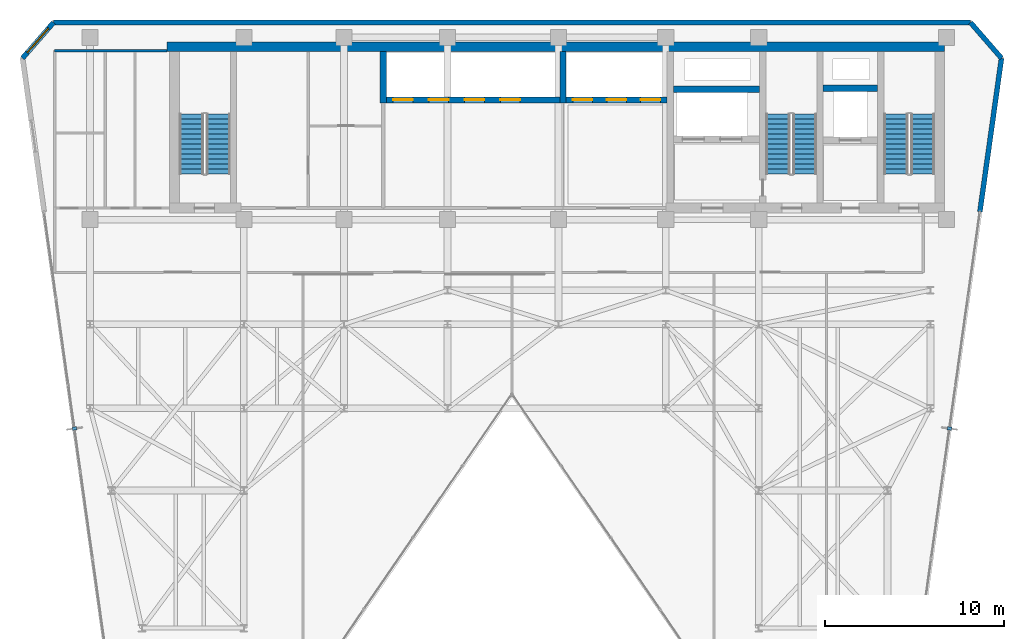
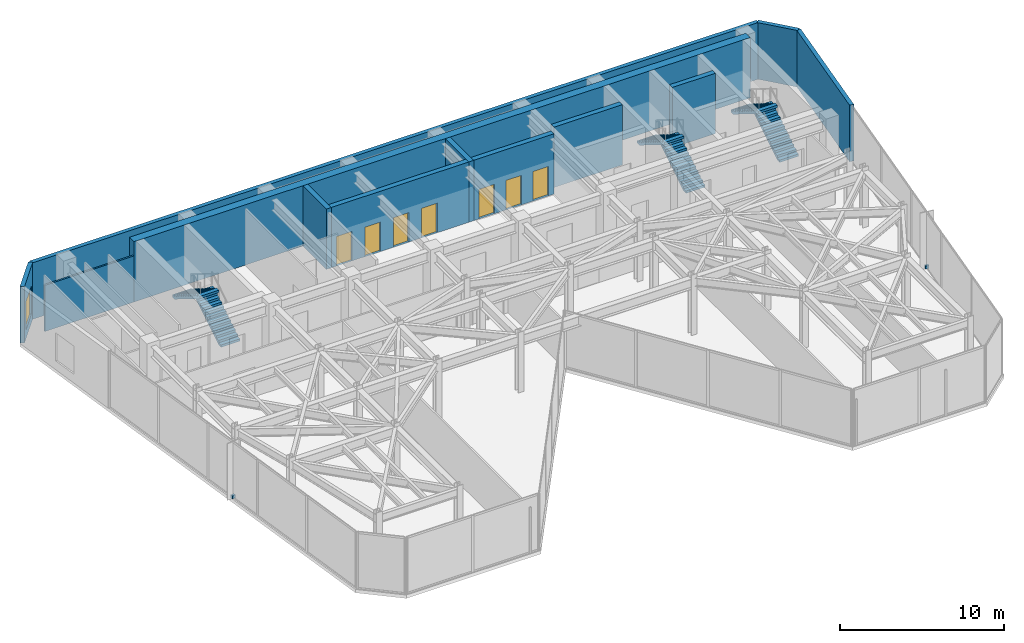
# One storey, part 23 of 25: 12 walls, 7 doors, 6 stair flights, 2 discrete accessories, 1 window, 8 openings, 3 elements without a shape of their own.
"""IFC4 building model written with IfcOpenShell, lengths in metres."""

import ifcopenshell
import ifcopenshell.guid

model = None  # the IFC model being written
_history = None  # IfcOwnerHistory: only IFC2X3 demands one
_inside = {}  # id of a spatial element -> (the spatial element, [elements in it])
_under = {}  # id of a project, library or spatial element -> (it, [spatial elements below it])
_declared = {}  # id of a project -> (the project, [libraries it declares])
_typed = {}  # id of a type object -> (the type object, [elements of that type])
_made_of = {}  # id of a material, layer set ... -> (it, [elements and type objects made of it])


def new_model(schema):
    """Start an empty IFC model of exactly this schema.

    Asked for "IFC4X3", IfcOpenShell would pick the latest addendum, in which some entities
    have other attributes; the version numbers below select the first issue.
    IFC2X3 requires an IfcOwnerHistory on every rooted entity: one is made here for all.
    """
    global model, _history
    if schema == "IFC4X3":
        model = ifcopenshell.file(schema_version=(4, 3, 0, 0))
    else:
        model = ifcopenshell.file(schema=schema)
    _inside.clear()
    _under.clear()
    _declared.clear()
    _typed.clear()
    _made_of.clear()
    _history = None
    if model.schema == "IFC2X3":
        org = make("IfcOrganization", Name="unknown")
        user = make(
            "IfcPersonAndOrganization",
            ThePerson=make("IfcPerson", FamilyName="unknown"),
            TheOrganization=org,
        )
        app = make(
            "IfcApplication",
            ApplicationDeveloper=org,
            Version="unknown",
            ApplicationFullName="unknown",
            ApplicationIdentifier="unknown",
        )
        _history = make(
            "IfcOwnerHistory",
            OwningUser=user,
            OwningApplication=app,
            ChangeAction="ADDED",
            CreationDate=0,
        )
    return model


def make(cls, **values):
    """One entity of the class cls with the attributes given. An attribute that is None is left unset."""
    return model.create_entity(
        cls, **{name: value for name, value in values.items() if value is not None}
    )


def rooted(cls, **values):
    """An entity with a GlobalId (a new one), such as an element, a storey or a relation."""
    return make(cls, GlobalId=ifcopenshell.guid.new(), OwnerHistory=_history, **values)


def si_unit(unit_type, name, prefix=None):
    """IfcSIUnit, for example si_unit("LENGTHUNIT", "METRE", prefix="MILLI")."""
    return make("IfcSIUnit", UnitType=unit_type, Prefix=prefix, Name=name)


def assignment(units):
    """IfcUnitAssignment: the units of a project."""
    return None if units is None else make("IfcUnitAssignment", Units=units)


def point(xyz):
    """IfcCartesianPoint."""
    return None if xyz is None else make("IfcCartesianPoint", Coordinates=xyz)


def direction(xyz):
    """IfcDirection."""
    return None if xyz is None else make("IfcDirection", DirectionRatios=xyz)


def frame(location, z_axis=None, x_axis=None):
    """IfcAxis2Placement3D, a coordinate frame: its origin and axes. An axis left out is left unset."""
    return make(
        "IfcAxis2Placement3D",
        Location=point(location),
        Axis=direction(z_axis),
        RefDirection=direction(x_axis),
    )


def frame_2d(location, x_axis=None):
    """IfcAxis2Placement2D, a coordinate frame in the plane: its origin and x axis."""
    return make(
        "IfcAxis2Placement2D", Location=point(location), RefDirection=direction(x_axis)
    )


def origin():
    """The frame at (0, 0, 0) with its axes left unset."""
    return frame((0.0, 0.0, 0.0))


def origin_2d():
    """The frame at (0, 0) in the plane with its x axis left unset."""
    return frame_2d((0.0, 0.0))


def place(relative_to, where):
    """IfcLocalPlacement: puts the frame where relative to a parent placement (None: the world)."""
    return make(
        "IfcLocalPlacement", PlacementRelTo=relative_to, RelativePlacement=where
    )


def context(
    kind, dimensions, precision=None, world=None, true_north=None, identifier=None
):
    """IfcGeometricRepresentationContext, for example the 3D "Model" context."""
    return make(
        "IfcGeometricRepresentationContext",
        ContextIdentifier=identifier,
        ContextType=kind,
        CoordinateSpaceDimension=dimensions,
        Precision=precision,
        WorldCoordinateSystem=world,
        TrueNorth=true_north,
    )


def subcontext(parent, identifier, kind, view, scale=None):
    """IfcGeometricRepresentationSubContext, for example "Body" below "Model"."""
    return make(
        "IfcGeometricRepresentationSubContext",
        ContextIdentifier=identifier,
        ContextType=kind,
        ParentContext=parent,
        TargetScale=scale,
        TargetView=view,
    )


def project(units=None, contexts=None):
    """IfcProject with its units and contexts."""
    return rooted(
        "IfcProject",
        Name="project",
        RepresentationContexts=contexts,
        UnitsInContext=assignment(units),
    )


def spatial(cls, under=None, at=None, **own):
    """A site, building, storey or space (cls), placed at a placement, below another one or the project."""
    s = rooted(cls, ObjectPlacement=at, **own)
    if under is not None:
        _under.setdefault(under.id(), (under, []))[1].append(s)
    return s


def polyline(points):
    """IfcPolyline through the points."""
    return make("IfcPolyline", Points=[point(p) for p in points])


def profile(cls, at=None, kind="AREA", **sizes):
    """A parametric profile (cls). Its sizes go by their IFC names, for example OverallWidth=200.0."""
    return make(cls, ProfileType=kind, Position=at, **sizes)


def rectangle(**sizes):
    """IfcRectangleProfileDef."""
    return profile("IfcRectangleProfileDef", **sizes)


def outline(outer, holes=None, kind="AREA"):
    """IfcArbitraryClosedProfileDef: a profile drawn as a closed curve; with holes, ...WithVoids."""
    if holes is None:
        return make("IfcArbitraryClosedProfileDef", ProfileType=kind, OuterCurve=outer)
    return make(
        "IfcArbitraryProfileDefWithVoids",
        ProfileType=kind,
        OuterCurve=outer,
        InnerCurves=holes,
    )


def extrude(swept, where, along, depth):
    """IfcExtrudedAreaSolid: the profile swept, set in the frame where, extruded along a direction by depth."""
    return make(
        "IfcExtrudedAreaSolid",
        SweptArea=swept,
        Position=where,
        ExtrudedDirection=direction(along),
        Depth=depth,
    )


def shape(context_of_items, identifier, shape_type, items):
    """IfcShapeRepresentation: the items that make up one representation, for example the "Body"."""
    return make(
        "IfcShapeRepresentation",
        ContextOfItems=context_of_items,
        RepresentationIdentifier=identifier,
        RepresentationType=shape_type,
        Items=items,
    )


def material(Name=None, Category=None):
    """IfcMaterial."""
    return make("IfcMaterial", Name=Name, Category=Category)


def layer(
    of_material, thickness, ventilated=None, Name=None, Category=None, Priority=None
):
    """IfcMaterialLayer: one layer of a wall or slab, of a material (None: an air gap)."""
    return make(
        "IfcMaterialLayer",
        Material=of_material,
        LayerThickness=thickness,
        IsVentilated=ventilated,
        Name=Name,
        Category=Category,
        Priority=Priority,
    )


def layer_set(layers, Name=None):
    """IfcMaterialLayerSet."""
    return make("IfcMaterialLayerSet", MaterialLayers=layers, LayerSetName=Name)


def made_of(thing, what):
    """Note that an element or type object is made of a material, layer set ...; save() writes the relation."""
    if what is not None:
        _made_of.setdefault(what.id(), (what, []))[1].append(thing)
    return thing


def type_object(cls, material=None, **own):
    """A type object (cls), such as IfcWallType, which elements share."""
    return made_of(rooted(cls, **own), material)


def element(
    cls,
    number,
    at=None,
    inside=None,
    cuts=None,
    type_object=None,
    material=None,
    context=None,
    identifier="Body",
    shape_type=None,
    held_by="IfcProductDefinitionShape",
    body=None,
    shapes=None,
    **own,
):
    """One element of the class cls, such as IfcWall. Its Tag is "e" and its number.

    at: its placement. inside: the storey or other place that contains it. cuts: it is an
    opening in that element (IfcRelVoidsElement). A single representation is given by context,
    identifier, shape_type and body (its items); several are given by shapes. held_by: the class
    of the entity that holds the representations. save() writes the other relations.
    """
    e = rooted(cls, Tag="e%d" % number, ObjectPlacement=at, **own)
    if body is not None:
        shapes = [shape(context, identifier, shape_type, body)]
    if shapes is not None:
        e.Representation = make(held_by, Representations=shapes)
    if inside is not None:
        _inside.setdefault(inside.id(), (inside, []))[1].append(e)
    if cuts is not None:
        rooted(
            "IfcRelVoidsElement", RelatingBuildingElement=cuts, RelatedOpeningElement=e
        )
    if type_object is not None:
        _typed.setdefault(type_object.id(), (type_object, []))[1].append(e)
    return made_of(e, material)


def fill(opening, filler):
    """IfcRelFillsElement: the door or window that sits in an opening."""
    return rooted(
        "IfcRelFillsElement",
        RelatingOpeningElement=opening,
        RelatedBuildingElement=filler,
    )


def aggregate(whole, parts):
    """IfcRelAggregates: a whole, such as a stair, and the parts it consists of."""
    return rooted("IfcRelAggregates", RelatingObject=whole, RelatedObjects=parts)


def save(model, path):
    """Write the relations noted so far, then the file.

    IfcRelAggregates (storeys below a building ...), IfcRelContainedInSpatialStructure (elements
    in a storey), IfcRelDefinesByType, IfcRelAssociatesMaterial and IfcRelDeclares: one each for
    every whole, place, type object, material and project.
    """
    for whole, parts in _under.values():
        aggregate(whole, parts)
    for where, things in _inside.values():
        rooted(
            "IfcRelContainedInSpatialStructure",
            RelatedElements=things,
            RelatingStructure=where,
        )
    for kind, things in _typed.values():
        rooted("IfcRelDefinesByType", RelatedObjects=things, RelatingType=kind)
    for what, things in _made_of.values():
        rooted("IfcRelAssociatesMaterial", RelatedObjects=things, RelatingMaterial=what)
    for by, libraries in _declared.values():
        rooted("IfcRelDeclares", RelatingContext=by, RelatedDefinitions=libraries)
    model.write(path)


model = new_model("IFC4")

# Units and contexts
model_context = context("Model", 3, precision=1e-05, world=origin(), true_north=direction((0.0, 1.0)))
body_context = subcontext(model_context, "Body", "Model", "MODEL_VIEW")
ifc_project = project(units=[si_unit("LENGTHUNIT", "METRE"), si_unit("AREAUNIT", "SQUARE_METRE"), si_unit("VOLUMEUNIT", "CUBIC_METRE"), si_unit("PLANEANGLEUNIT", "RADIAN"), si_unit("MASSUNIT", "GRAM", prefix="KILO")], contexts=[model_context])

# Site, building, storey
site_placement = place(None, origin())
site = spatial("IfcSite", under=ifc_project, at=site_placement, CompositionType="ELEMENT")
building_placement = place(site_placement, origin())
building = spatial("IfcBuilding", under=site, at=building_placement, Name="Kravanh Interchange Tower", CompositionType="ELEMENT")
storey_placement = place(building_placement, frame((0.0, 0.0, 220.5)))
storey = spatial("IfcBuildingStorey", under=building, at=storey_placement, Name="L53", CompositionType="ELEMENT", Elevation=220.5)

# Walls
ifc_material_1 = material(Name="Double Acoustic Gypsum Board and Mineral Wool")
ifc_layer_1 = layer(ifc_material_1, 0.1201171875)
ifc_layer_set_1 = layer_set([ifc_layer_1], Name="Acoustic Office Drywall Partition 120mm")
wall_type_1 = type_object("IfcWallType", Name="Acoustic Office Drywall Partition 120mm", PredefinedType="PARTITIONING", material=ifc_layer_set_1)
wall_1_placement = place(storey_placement, frame((16.6201171875, 46.800048828125, 0.0), z_axis=(0.0, 0.0, 1.0), x_axis=(1.0, 0.0, 0.0)))
element("IfcWall", 1, at=wall_1_placement, inside=storey, type_object=wall_type_1, Name="L53 Restroom North Enclosure 9", PredefinedType="PARTITIONING", context=body_context, shape_type="SweptSolid", body=[
    extrude(rectangle(XDim=6.27978515625, YDim=0.1201171875, at=frame_2d((3.139892578125, 0.0))), origin(), (0.0, 0.0, 1.0), 3.447021484375),
])
ifc_material_2 = material(Name="Concrete C60/75", Category="concrete")
ifc_layer_2 = layer(ifc_material_2, 0.35009765625)
ifc_layer_set_2 = layer_set([ifc_layer_2], Name="Core Shear Wall Concrete C60/75 350mm")
wall_type_2 = type_object("IfcWallType", Name="Core Shear Wall Concrete C60/75 350mm", PredefinedType="SHEAR", material=ifc_layer_set_2)
wall_2_placement = place(storey_placement, frame((59.60009765625, 44.699951171875, 0.0), z_axis=(0.0, 0.0, 1.0), x_axis=(1.0, 0.0, 0.0)))
element("IfcWall", 2, at=wall_2_placement, inside=storey, type_object=wall_type_2, Name="L53 Service Lift Shaft North Wall", PredefinedType="SHEAR", context=body_context, shape_type="SweptSolid", body=[
    extrude(rectangle(XDim=3.0498046875, YDim=0.35009765625, at=frame_2d((1.52490234375, 0.0))), origin(), (0.0, 0.0, 1.0), 4.5),
])
wall_3_placement = place(storey_placement, frame((51.22509765625, 44.64990234375, 0.0), z_axis=(0.0, 0.0, 1.0), x_axis=(1.0, 0.0, 0.0)))
element("IfcWall", 3, at=wall_3_placement, inside=storey, type_object=wall_type_2, Name="L53 Fire Lift Shaft North Wall", PredefinedType="SHEAR", context=body_context, shape_type="SweptSolid", body=[
    extrude(rectangle(XDim=4.824951171875, YDim=0.35009765625, at=frame_2d((2.41259765625, 0.0))), origin(), (0.0, 0.0, 1.0), 4.5),
])

# Wall, openings, doors
wall_4_placement = place(storey_placement, frame((45.22509765625, 44.050048828125, 0.0), z_axis=(0.0, 0.0, 1.0), x_axis=(1.0, 0.0, 0.0)))
wall_4 = element("IfcWall", 4, at=wall_4_placement, inside=storey, type_object=wall_type_2, Name="L53 High-Rise Lift Shaft South Wall", PredefinedType="SHEAR", context=body_context, shape_type="SweptSolid", body=[
    extrude(rectangle(XDim=5.64990234375, YDim=0.35009765625, at=frame_2d((2.824951171875, 0.0))), origin(), (0.0, 0.0, 1.0), 4.5),
])
opening_1_placement = place(wall_4_placement, frame((0.375, 0.0, 0.0)))
opening_1 = element("IfcOpeningElement", 5, at=opening_1_placement, cuts=wall_4, Name="Opening LD01", PredefinedType="OPENING", context=body_context, shape_type="SweptSolid", body=[
    extrude(rectangle(XDim=1.10009765625, YDim=2.199951171875, at=frame_2d((0.550048828125, 1.10009765625))), frame((0.0, 0.18505859375, 0.0), z_axis=(0.0, -1.0, 0.0), x_axis=(1.0, 0.0, 0.0)), (0.0, 0.0, 1.0), 0.3701171875),
])
opening_2_placement = place(wall_4_placement, frame((2.27490234375, 0.0, 0.0)))
opening_2 = element("IfcOpeningElement", 6, at=opening_2_placement, cuts=wall_4, Name="Opening LD01", PredefinedType="OPENING", context=body_context, shape_type="SweptSolid", body=[
    extrude(rectangle(XDim=1.10009765625, YDim=2.199951171875, at=frame_2d((0.550048828125, 1.10009765625))), frame((0.0, 0.18505859375, 0.0), z_axis=(0.0, -1.0, 0.0), x_axis=(1.0, 0.0, 0.0)), (0.0, 0.0, 1.0), 0.3701171875),
])
opening_3_placement = place(wall_4_placement, frame((4.175048828125, 0.0, 0.0)))
opening_3 = element("IfcOpeningElement", 7, at=opening_3_placement, cuts=wall_4, Name="Opening LD01", PredefinedType="OPENING", context=body_context, shape_type="SweptSolid", body=[
    extrude(rectangle(XDim=1.10009765625, YDim=2.199951171875, at=frame_2d((0.550048828125, 1.10009765625))), frame((0.0, 0.18505859375, 0.0), z_axis=(0.0, -1.0, 0.0), x_axis=(1.0, 0.0, 0.0)), (0.0, 0.0, 1.0), 0.3701171875),
])
ifc_material_3 = material(Name="Stainless Steel 304", Category="steel")
door_type = type_object("IfcDoorType", Name="Passenger Lift Sliding Landing Door 1100x2200", OperationType="DOUBLE_DOOR_SLIDING", PredefinedType="DOOR", material=ifc_material_3)
door_1_placement = place(opening_1_placement, origin())
door_1 = element("IfcDoor", 8, at=door_1_placement, inside=storey, type_object=door_type, Name="L53 Lift LP-H1 Landing Door", OperationType="DOUBLE_DOOR_SLIDING", OverallHeight=2.199951171875, OverallWidth=1.10009765625, PredefinedType="DOOR", context=body_context, shape_type="SweptSolid", body=[
    extrude(rectangle(XDim=1.10009765625, YDim=2.199951171875, at=frame_2d((0.550048828125, 1.10009765625))), frame((0.0, 0.02490234375, 0.0), z_axis=(0.0, -1.0, 0.0), x_axis=(1.0, 0.0, 0.0)), (0.0, 0.0, 1.0), 0.050048828125),
])
fill(opening_1, door_1)
door_2_placement = place(opening_2_placement, origin())
door_2 = element("IfcDoor", 9, at=door_2_placement, inside=storey, type_object=door_type, Name="L53 Lift LP-H2 Landing Door", OperationType="DOUBLE_DOOR_SLIDING", OverallHeight=2.199951171875, OverallWidth=1.10009765625, PredefinedType="DOOR", context=body_context, shape_type="SweptSolid", body=[
    extrude(rectangle(XDim=1.10009765625, YDim=2.199951171875, at=frame_2d((0.550048828125, 1.10009765625))), frame((0.0, 0.02490234375, 0.0), z_axis=(0.0, -1.0, 0.0), x_axis=(1.0, 0.0, 0.0)), (0.0, 0.0, 1.0), 0.050048828125),
])
fill(opening_2, door_2)
door_3_placement = place(opening_3_placement, origin())
door_3 = element("IfcDoor", 10, at=door_3_placement, inside=storey, type_object=door_type, Name="L53 Lift LP-H3 Landing Door", OperationType="DOUBLE_DOOR_SLIDING", OverallHeight=2.199951171875, OverallWidth=1.10009765625, PredefinedType="DOOR", context=body_context, shape_type="SweptSolid", body=[
    extrude(rectangle(XDim=1.10009765625, YDim=2.199951171875, at=frame_2d((0.550048828125, 1.10009765625))), frame((0.0, 0.02490234375, 0.0), z_axis=(0.0, -1.0, 0.0), x_axis=(1.0, 0.0, 0.0)), (0.0, 0.0, 1.0), 0.050048828125),
])
fill(opening_3, door_3)

# Wall
wall_5_placement = place(storey_placement, frame((45.050048828125, 43.875, 0.0), z_axis=(0.0, 0.0, 1.0), x_axis=(0.0, 1.0, 0.0)))
element("IfcWall", 11, at=wall_5_placement, inside=storey, type_object=wall_type_2, Name="L53 High-Rise Lift Shaft West Wall", PredefinedType="SHEAR", context=body_context, shape_type="SweptSolid", body=[
    extrude(rectangle(XDim=2.875, YDim=0.35009765625, at=frame_2d((1.4375, 0.0))), origin(), (0.0, 0.0, 1.0), 4.5),
])

# Wall, openings, doors
wall_6_placement = place(storey_placement, frame((35.175048828125, 44.050048828125, 0.0), z_axis=(0.0, 0.0, 1.0), x_axis=(1.0, 0.0, 0.0)))
wall_6 = element("IfcWall", 12, at=wall_6_placement, inside=storey, type_object=wall_type_2, Name="L53 Mid-Rise Lift Shaft South Wall", PredefinedType="SHEAR", context=body_context, shape_type="SweptSolid", body=[
    extrude(rectangle(XDim=9.699951171875, YDim=0.35009765625, at=frame_2d((4.85009765625, 0.0))), origin(), (0.0, 0.0, 1.0), 4.5),
])
opening_4_placement = place(wall_6_placement, frame((0.375, 0.0, 0.0)))
opening_4 = element("IfcOpeningElement", 13, at=opening_4_placement, cuts=wall_6, Name="Opening LD01", PredefinedType="OPENING", context=body_context, shape_type="SweptSolid", body=[
    extrude(rectangle(XDim=1.10009765625, YDim=2.199951171875, at=frame_2d((0.550048828125, 1.10009765625))), frame((0.0, 0.18505859375, 0.0), z_axis=(0.0, -1.0, 0.0), x_axis=(1.0, 0.0, 0.0)), (0.0, 0.0, 1.0), 0.3701171875),
])
opening_5_placement = place(wall_6_placement, frame((2.375, 0.0, 0.0)))
opening_5 = element("IfcOpeningElement", 14, at=opening_5_placement, cuts=wall_6, Name="Opening LD01", PredefinedType="OPENING", context=body_context, shape_type="SweptSolid", body=[
    extrude(rectangle(XDim=1.10009765625, YDim=2.199951171875, at=frame_2d((0.550048828125, 1.10009765625))), frame((0.0, 0.18505859375, 0.0), z_axis=(0.0, -1.0, 0.0), x_axis=(1.0, 0.0, 0.0)), (0.0, 0.0, 1.0), 0.3701171875),
])
opening_6_placement = place(wall_6_placement, frame((4.375, 0.0, 0.0)))
opening_6 = element("IfcOpeningElement", 15, at=opening_6_placement, cuts=wall_6, Name="Opening LD01", PredefinedType="OPENING", context=body_context, shape_type="SweptSolid", body=[
    extrude(rectangle(XDim=1.10009765625, YDim=2.199951171875, at=frame_2d((0.550048828125, 1.10009765625))), frame((0.0, 0.18505859375, 0.0), z_axis=(0.0, -1.0, 0.0), x_axis=(1.0, 0.0, 0.0)), (0.0, 0.0, 1.0), 0.3701171875),
])
opening_7_placement = place(wall_6_placement, frame((6.375, 0.0, 0.0)))
opening_7 = element("IfcOpeningElement", 16, at=opening_7_placement, cuts=wall_6, Name="Opening LD01", PredefinedType="OPENING", context=body_context, shape_type="SweptSolid", body=[
    extrude(rectangle(XDim=1.10009765625, YDim=2.199951171875, at=frame_2d((0.550048828125, 1.10009765625))), frame((0.0, 0.18505859375, 0.0), z_axis=(0.0, -1.0, 0.0), x_axis=(1.0, 0.0, 0.0)), (0.0, 0.0, 1.0), 0.3701171875),
])
door_4_placement = place(opening_4_placement, origin())
door_4 = element("IfcDoor", 17, at=door_4_placement, inside=storey, type_object=door_type, Name="L53 Lift LP-M1 Landing Door", OperationType="DOUBLE_DOOR_SLIDING", OverallHeight=2.199951171875, OverallWidth=1.10009765625, PredefinedType="DOOR", context=body_context, shape_type="SweptSolid", body=[
    extrude(rectangle(XDim=1.10009765625, YDim=2.199951171875, at=frame_2d((0.550048828125, 1.10009765625))), frame((0.0, 0.02490234375, 0.0), z_axis=(0.0, -1.0, 0.0), x_axis=(1.0, 0.0, 0.0)), (0.0, 0.0, 1.0), 0.050048828125),
])
fill(opening_4, door_4)
door_5_placement = place(opening_5_placement, origin())
door_5 = element("IfcDoor", 18, at=door_5_placement, inside=storey, type_object=door_type, Name="L53 Lift LP-M2 Landing Door", OperationType="DOUBLE_DOOR_SLIDING", OverallHeight=2.199951171875, OverallWidth=1.10009765625, PredefinedType="DOOR", context=body_context, shape_type="SweptSolid", body=[
    extrude(rectangle(XDim=1.10009765625, YDim=2.199951171875, at=frame_2d((0.550048828125, 1.10009765625))), frame((0.0, 0.02490234375, 0.0), z_axis=(0.0, -1.0, 0.0), x_axis=(1.0, 0.0, 0.0)), (0.0, 0.0, 1.0), 0.050048828125),
])
fill(opening_5, door_5)
door_6_placement = place(opening_6_placement, origin())
door_6 = element("IfcDoor", 19, at=door_6_placement, inside=storey, type_object=door_type, Name="L53 Lift LP-M3 Landing Door", OperationType="DOUBLE_DOOR_SLIDING", OverallHeight=2.199951171875, OverallWidth=1.10009765625, PredefinedType="DOOR", context=body_context, shape_type="SweptSolid", body=[
    extrude(rectangle(XDim=1.10009765625, YDim=2.199951171875, at=frame_2d((0.550048828125, 1.10009765625))), frame((0.0, 0.02490234375, 0.0), z_axis=(0.0, -1.0, 0.0), x_axis=(1.0, 0.0, 0.0)), (0.0, 0.0, 1.0), 0.050048828125),
])
fill(opening_6, door_6)
door_7_placement = place(opening_7_placement, origin())
door_7 = element("IfcDoor", 20, at=door_7_placement, inside=storey, type_object=door_type, Name="L53 Lift LP-M4 Landing Door", OperationType="DOUBLE_DOOR_SLIDING", OverallHeight=2.199951171875, OverallWidth=1.10009765625, PredefinedType="DOOR", context=body_context, shape_type="SweptSolid", body=[
    extrude(rectangle(XDim=1.10009765625, YDim=2.199951171875, at=frame_2d((0.550048828125, 1.10009765625))), frame((0.0, 0.02490234375, 0.0), z_axis=(0.0, -1.0, 0.0), x_axis=(1.0, 0.0, 0.0)), (0.0, 0.0, 1.0), 0.050048828125),
])
fill(opening_7, door_7)

# Walls
wall_7_placement = place(storey_placement, frame((35.0, 43.875, 0.0), z_axis=(0.0, 0.0, 1.0), x_axis=(0.0, 1.0, 0.0)))
element("IfcWall", 21, at=wall_7_placement, inside=storey, type_object=wall_type_2, Name="L53 Mid-Rise Lift Shaft West Wall", PredefinedType="SHEAR", context=body_context, shape_type="SweptSolid", body=[
    extrude(rectangle(XDim=2.875, YDim=0.35009765625, at=frame_2d((1.4375, 0.0))), origin(), (0.0, 0.0, 1.0), 4.5),
])
ifc_material_4 = material(Name="Concrete C70/85", Category="concrete")
ifc_layer_3 = layer(ifc_material_4, 0.550048828125)
ifc_layer_set_3 = layer_set([ifc_layer_3], Name="Core Shear Wall Concrete C70/85 550mm")
wall_type_3 = type_object("IfcWallType", Name="Core Shear Wall Concrete C70/85 550mm", PredefinedType="SHEAR", material=ifc_layer_set_3)
wall_8_placement = place(storey_placement, frame((22.89990234375, 47.02490234375, 0.0), z_axis=(0.0, 0.0, 1.0), x_axis=(1.0, 0.0, 0.0)))
element("IfcWall", 22, at=wall_8_placement, inside=storey, type_object=wall_type_3, Name="L53 North Core Shear Wall", PredefinedType="SHEAR", context=body_context, shape_type="SweptSolid", body=[
    extrude(rectangle(XDim=43.5, YDim=0.550048828125, at=frame_2d((21.75, 0.0))), origin(), (0.0, 0.0, 1.0), 4.5),
])

# Wall, opening, window
ifc_material_5 = material(Name="Insulated Precast Concrete C40/50 with Bronze Cladding", Category="concrete")
ifc_layer_4 = layer(ifc_material_5, 0.280029296875)
ifc_layer_set_4 = layer_set([ifc_layer_4], Name="Exterior Insulated Concrete C40/50 Bronze Spandrel Wall 280mm")
wall_type_4 = type_object("IfcWallType", Name="Exterior Insulated Concrete C40/50 Bronze Spandrel Wall 280mm", PredefinedType="STANDARD", material=ifc_layer_set_4)
wall_9_placement = place(storey_placement, frame((14.818603515625, 46.3828125, 0.0), z_axis=(0.0, 0.0, 1.0), x_axis=(0.656071351282, 0.754698868442, 0.0)))
wall_9 = element("IfcWall", 23, at=wall_9_placement, inside=storey, type_object=wall_type_4, Name="L53 Exterior Wall 2", PredefinedType="STANDARD", context=body_context, shape_type="SweptSolid", body=[
    extrude(rectangle(XDim=2.646240234375, YDim=0.280029296875, at=frame_2d((1.3232421875, 0.0))), origin(), (0.0, 0.0, 1.0), 4.219970703125),
])
opening_8_placement = place(wall_9_placement, frame((0.41552734375, 0.0, 0.64990234375)))
opening_8 = element("IfcOpeningElement", 24, at=opening_8_placement, cuts=wall_9, Name="Opening WN-180X210", PredefinedType="OPENING", context=body_context, shape_type="SweptSolid", body=[
    extrude(rectangle(XDim=1.800048828125, YDim=2.10009765625, at=frame_2d((0.89990234375, 1.050048828125))), frame((0.0, 0.14990234375, 0.0), z_axis=(0.0, -1.0, 0.0), x_axis=(1.0, 0.0, 0.0)), (0.0, 0.0, 1.0), 0.300048828125),
])
ifc_material_6 = material(Name="Thermally Broken Bronze Aluminium and Low-E Glass", Category="aluminium")
window_type = type_object("IfcWindowType", Name="Tower Pier Window 1800x2100", PartitioningType="SINGLE_PANEL", PredefinedType="WINDOW", material=ifc_material_6)
window_placement = place(opening_8_placement, origin())
window = element("IfcWindow", 25, at=window_placement, inside=storey, type_object=window_type, Name="L53 Corner Window 2", OverallHeight=2.10009765625, OverallWidth=1.800048828125, PartitioningType="SINGLE_PANEL", PredefinedType="WINDOW", context=body_context, shape_type="SweptSolid", body=[
    extrude(rectangle(XDim=1.800048828125, YDim=2.10009765625, at=frame_2d((0.89990234375, 1.050048828125))), frame((0.0, 0.030029296875, 0.0), z_axis=(0.0, -1.0, 0.0), x_axis=(1.0, 0.0, 0.0)), (0.0, 0.0, 1.0), 0.06005859375),
])
fill(opening_8, window)

# Walls
wall_10_placement = place(storey_placement, frame((16.5546875, 48.3798828125, 0.0), z_axis=(0.0, 0.0, 1.0), x_axis=(1.0, 0.0, 0.0)))
element("IfcWall", 26, at=wall_10_placement, inside=storey, type_object=wall_type_4, Name="L53 Exterior Wall 3", PredefinedType="STANDARD", context=body_context, shape_type="SweptSolid", body=[
    extrude(rectangle(XDim=51.29052734375, YDim=0.280029296875, at=frame_2d((25.645263671875, 0.0))), origin(), (0.0, 0.0, 1.0), 4.219970703125),
])
wall_11_placement = place(storey_placement, frame((67.84521484375, 48.3798828125, 0.0), z_axis=(0.0, 0.0, 1.0), x_axis=(0.656071351282, -0.754698868442, 0.0)))
element("IfcWall", 27, at=wall_11_placement, inside=storey, type_object=wall_type_4, Name="L53 Exterior Wall 4", PredefinedType="STANDARD", context=body_context, shape_type="SweptSolid", body=[
    extrude(rectangle(XDim=2.646240234375, YDim=0.280029296875, at=frame_2d((1.3232421875, 0.0))), origin(), (0.0, 0.0, 1.0), 4.219970703125),
])
wall_12_placement = place(storey_placement, frame((69.581298828125, 46.3828125, 0.0), z_axis=(0.0, 0.0, 1.0), x_axis=(-0.13918102754, -0.990266954701, 0.0)))
element("IfcWall", 28, at=wall_12_placement, inside=storey, type_object=wall_type_4, Name="L53 Exterior Wall 5", PredefinedType="STANDARD", context=body_context, shape_type="SweptSolid", body=[
    extrude(rectangle(XDim=8.667236328125, YDim=0.280029296875, at=frame_2d((4.33349609375, 0.0))), origin(), (0.0, 0.0, 1.0), 4.219970703125),
])

# Stair, stair flights
ifc_material_7 = material(Name="Concrete C50/60", Category="concrete")
stair_type = type_object("IfcStairType", Name="Core Fire Exit Dogleg Stair Concrete C50/60", PredefinedType="HALF_TURN_STAIR", material=ifc_material_7)
stair_1_placement = place(storey_placement, origin())
stair_1 = element("IfcStair", 29, at=stair_1_placement, inside=storey, type_object=stair_type, Name="L53 Exit Stair ST1", PredefinedType="HALF_TURN_STAIR")
ifc_material_8 = material(Name="Precast Concrete C50/60", Category="concrete")
ifc_layer_5 = layer(ifc_material_8, 0.199951171875)
ifc_layer_set_5 = layer_set([ifc_layer_5], Name="Precast Concrete C50/60 Stair Flight 1350mm")
stair_flight_type = type_object("IfcStairFlightType", Name="Precast Concrete C50/60 Stair Flight 1350mm", PredefinedType="STRAIGHT", material=ifc_layer_set_5)
stair_flight_1_placement = place(storey_placement, frame((65.175048828125, 39.89990234375, 0.0), z_axis=(0.0, 0.0, 1.0), x_axis=(0.0, 1.0, 0.0)))
stair_flight_1 = element("IfcStairFlight", 30, at=stair_flight_1_placement, type_object=stair_flight_type, Name="ST1 flight 1", NumberOfRisers=13, NumberOfTreads=12, PredefinedType="STRAIGHT", RiserHeight=0.173076923, TreadLength=0.28, context=body_context, shape_type="SweptSolid", body=[
    extrude(outline(polyline([(0.0, 0.0), (0.0, 0.173095703125), (0.280029296875, 0.173095703125), (0.280029296875, 0.34619140625), (0.56005859375, 0.34619140625), (0.56005859375, 0.519287109375), (0.840087890625, 0.519287109375), (0.840087890625, 0.6923828125), (1.1201171875, 0.6923828125), (1.1201171875, 0.865478515625), (1.39990234375, 0.865478515625), (1.39990234375, 1.03857421875), (1.679931640625, 1.03857421875), (1.679931640625, 1.21142578125), (1.9599609375, 1.21142578125), (1.9599609375, 1.384521484375), (2.239990234375, 1.384521484375), (2.239990234375, 1.5576171875), (2.52001953125, 1.5576171875), (2.52001953125, 1.730712890625), (2.800048828125, 1.730712890625), (2.800048828125, 1.90380859375), (3.080078125, 1.90380859375), (3.080078125, 2.076904296875), (3.360107421875, 2.076904296875), (3.360107421875, 2.25), (3.360107421875, 1.900634765625), (0.28515625, 0.0), (0.0, 0.0)])), frame((0.0, 0.675048828125, 0.0), z_axis=(0.0, -1.0, 0.0), x_axis=(1.0, 0.0, 0.0)), (0.0, 0.0, 1.0), 1.35009765625),
])
stair_flight_2_placement = place(storey_placement, frame((63.675048828125, 43.260009765625, 2.25), z_axis=(0.0, 0.0, 1.0), x_axis=(0.0, -1.0, 0.0)))
stair_flight_2 = element("IfcStairFlight", 31, at=stair_flight_2_placement, type_object=stair_flight_type, Name="ST1 flight 2", NumberOfRisers=13, NumberOfTreads=12, PredefinedType="STRAIGHT", RiserHeight=0.173076923, TreadLength=0.28, context=body_context, shape_type="SweptSolid", body=[
    extrude(outline(polyline([(0.0, 0.0), (0.0, 0.173095703125), (0.280029296875, 0.173095703125), (0.280029296875, 0.34619140625), (0.56005859375, 0.34619140625), (0.56005859375, 0.519287109375), (0.840087890625, 0.519287109375), (0.840087890625, 0.6923828125), (1.1201171875, 0.6923828125), (1.1201171875, 0.865478515625), (1.39990234375, 0.865478515625), (1.39990234375, 1.03857421875), (1.679931640625, 1.03857421875), (1.679931640625, 1.21142578125), (1.9599609375, 1.21142578125), (1.9599609375, 1.384521484375), (2.239990234375, 1.384521484375), (2.239990234375, 1.5576171875), (2.52001953125, 1.5576171875), (2.52001953125, 1.730712890625), (2.800048828125, 1.730712890625), (2.800048828125, 1.90380859375), (3.080078125, 1.90380859375), (3.080078125, 2.076904296875), (3.360107421875, 2.076904296875), (3.360107421875, 2.25), (3.360107421875, 1.900634765625), (0.28515625, 0.0), (0.0, 0.0)])), frame((0.0, 0.675048828125, 0.0), z_axis=(0.0, -1.0, 0.0), x_axis=(1.0, 0.0, 0.0)), (0.0, 0.0, 1.0), 1.35009765625),
])
aggregate(stair_1, [stair_flight_1, stair_flight_2])

stair_2_placement = place(storey_placement, origin())
stair_2 = element("IfcStair", 32, at=stair_2_placement, inside=storey, type_object=stair_type, Name="L53 Exit Stair ST2", PredefinedType="HALF_TURN_STAIR")
stair_flight_3_placement = place(storey_placement, frame((58.574951171875, 39.89990234375, 0.0), z_axis=(0.0, 0.0, 1.0), x_axis=(0.0, 1.0, 0.0)))
stair_flight_3 = element("IfcStairFlight", 33, at=stair_flight_3_placement, type_object=stair_flight_type, Name="ST2 flight 1", NumberOfRisers=13, NumberOfTreads=12, PredefinedType="STRAIGHT", RiserHeight=0.173076923, TreadLength=0.28, context=body_context, shape_type="SweptSolid", body=[
    extrude(outline(polyline([(0.0, 0.0), (0.0, 0.173095703125), (0.280029296875, 0.173095703125), (0.280029296875, 0.34619140625), (0.56005859375, 0.34619140625), (0.56005859375, 0.519287109375), (0.840087890625, 0.519287109375), (0.840087890625, 0.6923828125), (1.1201171875, 0.6923828125), (1.1201171875, 0.865478515625), (1.39990234375, 0.865478515625), (1.39990234375, 1.03857421875), (1.679931640625, 1.03857421875), (1.679931640625, 1.21142578125), (1.9599609375, 1.21142578125), (1.9599609375, 1.384521484375), (2.239990234375, 1.384521484375), (2.239990234375, 1.5576171875), (2.52001953125, 1.5576171875), (2.52001953125, 1.730712890625), (2.800048828125, 1.730712890625), (2.800048828125, 1.90380859375), (3.080078125, 1.90380859375), (3.080078125, 2.076904296875), (3.360107421875, 2.076904296875), (3.360107421875, 2.25), (3.360107421875, 1.900634765625), (0.28515625, 0.0), (0.0, 0.0)])), frame((0.0, 0.675048828125, 0.0), z_axis=(0.0, -1.0, 0.0), x_axis=(1.0, 0.0, 0.0)), (0.0, 0.0, 1.0), 1.35009765625),
])
stair_flight_4_placement = place(storey_placement, frame((57.074951171875, 43.260009765625, 2.25), z_axis=(0.0, 0.0, 1.0), x_axis=(0.0, -1.0, 0.0)))
stair_flight_4 = element("IfcStairFlight", 34, at=stair_flight_4_placement, type_object=stair_flight_type, Name="ST2 flight 2", NumberOfRisers=13, NumberOfTreads=12, PredefinedType="STRAIGHT", RiserHeight=0.173076923, TreadLength=0.28, context=body_context, shape_type="SweptSolid", body=[
    extrude(outline(polyline([(0.0, 0.0), (0.0, 0.173095703125), (0.280029296875, 0.173095703125), (0.280029296875, 0.34619140625), (0.56005859375, 0.34619140625), (0.56005859375, 0.519287109375), (0.840087890625, 0.519287109375), (0.840087890625, 0.6923828125), (1.1201171875, 0.6923828125), (1.1201171875, 0.865478515625), (1.39990234375, 0.865478515625), (1.39990234375, 1.03857421875), (1.679931640625, 1.03857421875), (1.679931640625, 1.21142578125), (1.9599609375, 1.21142578125), (1.9599609375, 1.384521484375), (2.239990234375, 1.384521484375), (2.239990234375, 1.5576171875), (2.52001953125, 1.5576171875), (2.52001953125, 1.730712890625), (2.800048828125, 1.730712890625), (2.800048828125, 1.90380859375), (3.080078125, 1.90380859375), (3.080078125, 2.076904296875), (3.360107421875, 2.076904296875), (3.360107421875, 2.25), (3.360107421875, 1.900634765625), (0.28515625, 0.0), (0.0, 0.0)])), frame((0.0, 0.675048828125, 0.0), z_axis=(0.0, -1.0, 0.0), x_axis=(1.0, 0.0, 0.0)), (0.0, 0.0, 1.0), 1.35009765625),
])
aggregate(stair_2, [stair_flight_3, stair_flight_4])

stair_3_placement = place(storey_placement, origin())
stair_3 = element("IfcStair", 35, at=stair_3_placement, inside=storey, type_object=stair_type, Name="L53 Exit Stair ST3", PredefinedType="HALF_TURN_STAIR")
stair_flight_5_placement = place(storey_placement, frame((25.77490234375, 39.89990234375, 0.0), z_axis=(0.0, 0.0, 1.0), x_axis=(0.0, 1.0, 0.0)))
stair_flight_5 = element("IfcStairFlight", 36, at=stair_flight_5_placement, type_object=stair_flight_type, Name="ST3 flight 1", NumberOfRisers=13, NumberOfTreads=12, PredefinedType="STRAIGHT", RiserHeight=0.173076923, TreadLength=0.28, context=body_context, shape_type="SweptSolid", body=[
    extrude(outline(polyline([(0.0, 0.0), (0.0, 0.173095703125), (0.280029296875, 0.173095703125), (0.280029296875, 0.34619140625), (0.56005859375, 0.34619140625), (0.56005859375, 0.519287109375), (0.840087890625, 0.519287109375), (0.840087890625, 0.6923828125), (1.1201171875, 0.6923828125), (1.1201171875, 0.865478515625), (1.39990234375, 0.865478515625), (1.39990234375, 1.03857421875), (1.679931640625, 1.03857421875), (1.679931640625, 1.21142578125), (1.9599609375, 1.21142578125), (1.9599609375, 1.384521484375), (2.239990234375, 1.384521484375), (2.239990234375, 1.5576171875), (2.52001953125, 1.5576171875), (2.52001953125, 1.730712890625), (2.800048828125, 1.730712890625), (2.800048828125, 1.90380859375), (3.080078125, 1.90380859375), (3.080078125, 2.076904296875), (3.360107421875, 2.076904296875), (3.360107421875, 2.25), (3.360107421875, 1.900634765625), (0.28515625, 0.0), (0.0, 0.0)])), frame((0.0, 0.675048828125, 0.0), z_axis=(0.0, -1.0, 0.0), x_axis=(1.0, 0.0, 0.0)), (0.0, 0.0, 1.0), 1.35009765625),
])
stair_flight_6_placement = place(storey_placement, frame((24.27490234375, 43.260009765625, 2.25), z_axis=(0.0, 0.0, 1.0), x_axis=(0.0, -1.0, 0.0)))
stair_flight_6 = element("IfcStairFlight", 37, at=stair_flight_6_placement, type_object=stair_flight_type, Name="ST3 flight 2", NumberOfRisers=13, NumberOfTreads=12, PredefinedType="STRAIGHT", RiserHeight=0.173076923, TreadLength=0.28, context=body_context, shape_type="SweptSolid", body=[
    extrude(outline(polyline([(0.0, 0.0), (0.0, 0.173095703125), (0.280029296875, 0.173095703125), (0.280029296875, 0.34619140625), (0.56005859375, 0.34619140625), (0.56005859375, 0.519287109375), (0.840087890625, 0.519287109375), (0.840087890625, 0.6923828125), (1.1201171875, 0.6923828125), (1.1201171875, 0.865478515625), (1.39990234375, 0.865478515625), (1.39990234375, 1.03857421875), (1.679931640625, 1.03857421875), (1.679931640625, 1.21142578125), (1.9599609375, 1.21142578125), (1.9599609375, 1.384521484375), (2.239990234375, 1.384521484375), (2.239990234375, 1.5576171875), (2.52001953125, 1.5576171875), (2.52001953125, 1.730712890625), (2.800048828125, 1.730712890625), (2.800048828125, 1.90380859375), (3.080078125, 1.90380859375), (3.080078125, 2.076904296875), (3.360107421875, 2.076904296875), (3.360107421875, 2.25), (3.360107421875, 1.900634765625), (0.28515625, 0.0), (0.0, 0.0)])), frame((0.0, 0.675048828125, 0.0), z_axis=(0.0, -1.0, 0.0), x_axis=(1.0, 0.0, 0.0)), (0.0, 0.0, 1.0), 1.35009765625),
])
aggregate(stair_3, [stair_flight_5, stair_flight_6])

# Discrete accessories
ifc_material_9 = material(Name="Stainless Steel 316", Category="steel")
discrete_accessory_type = type_object("IfcDiscreteAccessoryType", Name="Solar Fin Curtain-Wall Mounting Bracket Stainless 316", PredefinedType="BRACKET", material=ifc_material_9)
for number, where, z_axis, x_axis, name in (
    (38, (17.729736328125, 25.67041015625, 0.0), (0.0, 0.0, 1.0), (-0.990268182791, -0.139172289451, 0.0), "L53 Solar Fin Mounting Bracket 1"),
    (39, (66.67041015625, 25.67041015625, 0.0), (0.0, 0.0, 1.0), (0.990268182791, -0.139172289451, 0.0), "L53 Solar Fin Mounting Bracket 2"),
):
    element("IfcDiscreteAccessory", number, at=place(storey_placement, frame(where, z_axis=z_axis, x_axis=x_axis)), inside=storey, type_object=discrete_accessory_type, Name=name, PredefinedType="BRACKET", context=body_context, shape_type="SweptSolid", body=[
        extrude(rectangle(XDim=0.239990234375, YDim=0.179931640625, at=origin_2d()), origin(), (0.0, 0.0, 1.0), 0.219970703125),
    ])

save(model, "model.ifc")
